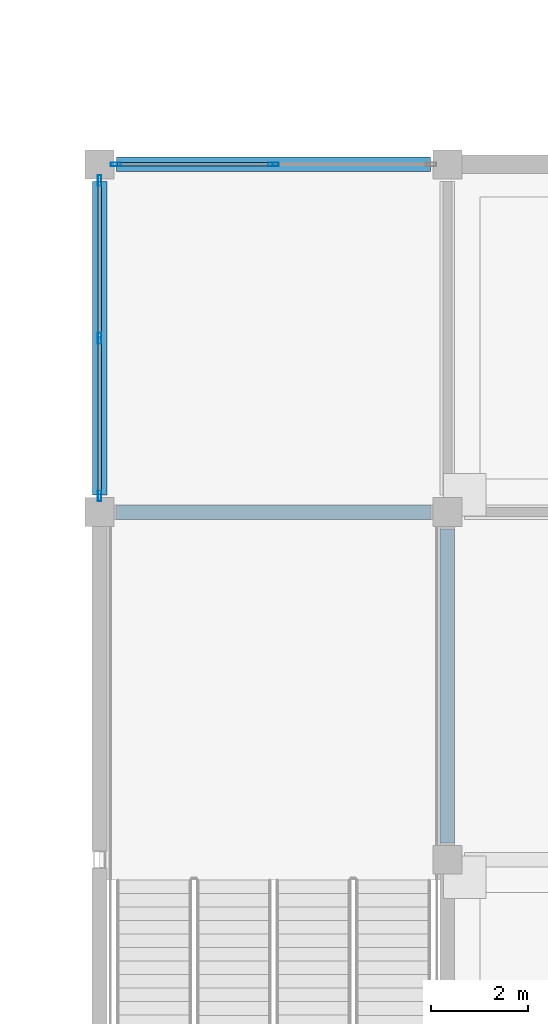
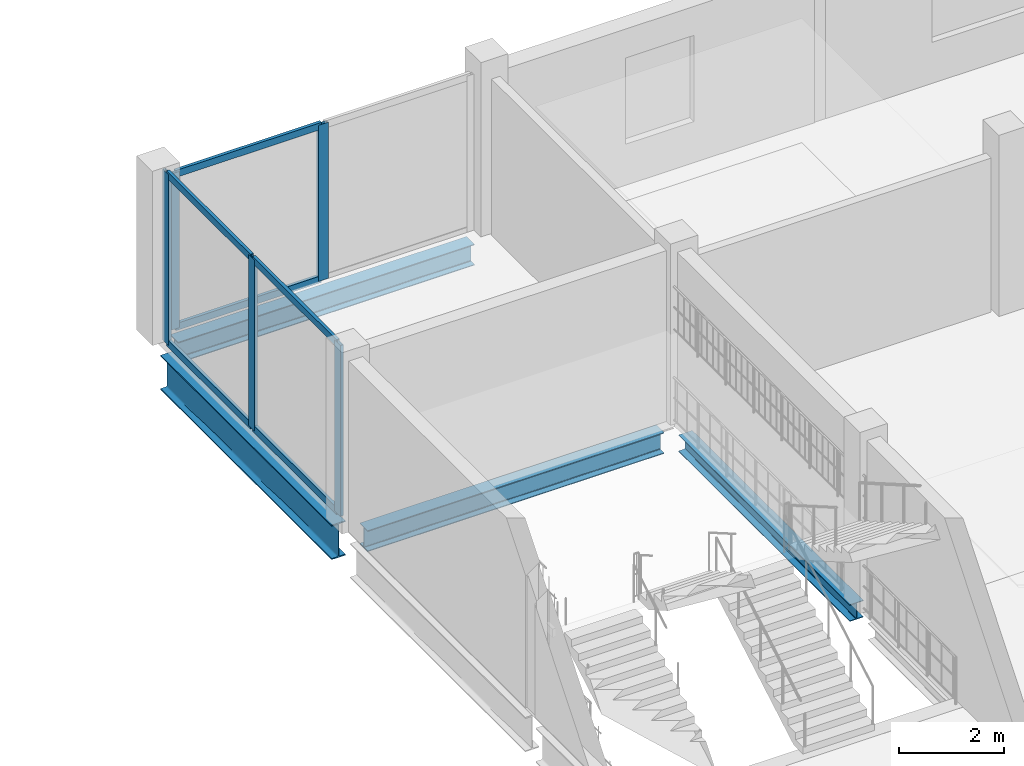
# One storey, part 13 of 51: 11 members, 4 beams, 2 elements without a shape of their own.
"""IFC4 building model written with IfcOpenShell, lengths in metres."""

import ifcopenshell
import ifcopenshell.guid

model = None  # the IFC model being written
_history = None  # IfcOwnerHistory: only IFC2X3 demands one
_inside = {}  # id of a spatial element -> (the spatial element, [elements in it])
_under = {}  # id of a project, library or spatial element -> (it, [spatial elements below it])
_declared = {}  # id of a project -> (the project, [libraries it declares])
_typed = {}  # id of a type object -> (the type object, [elements of that type])
_made_of = {}  # id of a material, layer set ... -> (it, [elements and type objects made of it])


def new_model(schema):
    """Start an empty IFC model of exactly this schema.

    Asked for "IFC4X3", IfcOpenShell would pick the latest addendum, in which some entities
    have other attributes; the version numbers below select the first issue.
    IFC2X3 requires an IfcOwnerHistory on every rooted entity: one is made here for all.
    """
    global model, _history
    if schema == "IFC4X3":
        model = ifcopenshell.file(schema_version=(4, 3, 0, 0))
    else:
        model = ifcopenshell.file(schema=schema)
    _inside.clear()
    _under.clear()
    _declared.clear()
    _typed.clear()
    _made_of.clear()
    _history = None
    if model.schema == "IFC2X3":
        org = make("IfcOrganization", Name="unknown")
        user = make(
            "IfcPersonAndOrganization",
            ThePerson=make("IfcPerson", FamilyName="unknown"),
            TheOrganization=org,
        )
        app = make(
            "IfcApplication",
            ApplicationDeveloper=org,
            Version="unknown",
            ApplicationFullName="unknown",
            ApplicationIdentifier="unknown",
        )
        _history = make(
            "IfcOwnerHistory",
            OwningUser=user,
            OwningApplication=app,
            ChangeAction="ADDED",
            CreationDate=0,
        )
    return model


def make(cls, **values):
    """One entity of the class cls with the attributes given. An attribute that is None is left unset."""
    return model.create_entity(
        cls, **{name: value for name, value in values.items() if value is not None}
    )


def rooted(cls, **values):
    """An entity with a GlobalId (a new one), such as an element, a storey or a relation."""
    return make(cls, GlobalId=ifcopenshell.guid.new(), OwnerHistory=_history, **values)


def si_unit(unit_type, name, prefix=None):
    """IfcSIUnit, for example si_unit("LENGTHUNIT", "METRE", prefix="MILLI")."""
    return make("IfcSIUnit", UnitType=unit_type, Prefix=prefix, Name=name)


def assignment(units):
    """IfcUnitAssignment: the units of a project."""
    return None if units is None else make("IfcUnitAssignment", Units=units)


def point(xyz):
    """IfcCartesianPoint."""
    return None if xyz is None else make("IfcCartesianPoint", Coordinates=xyz)


def direction(xyz):
    """IfcDirection."""
    return None if xyz is None else make("IfcDirection", DirectionRatios=xyz)


def frame(location, z_axis=None, x_axis=None):
    """IfcAxis2Placement3D, a coordinate frame: its origin and axes. An axis left out is left unset."""
    return make(
        "IfcAxis2Placement3D",
        Location=point(location),
        Axis=direction(z_axis),
        RefDirection=direction(x_axis),
    )


def frame_2d(location, x_axis=None):
    """IfcAxis2Placement2D, a coordinate frame in the plane: its origin and x axis."""
    return make(
        "IfcAxis2Placement2D", Location=point(location), RefDirection=direction(x_axis)
    )


def origin():
    """The frame at (0, 0, 0) with its axes left unset."""
    return frame((0.0, 0.0, 0.0))


def origin_2d():
    """The frame at (0, 0) in the plane with its x axis left unset."""
    return frame_2d((0.0, 0.0))


def place(relative_to, where):
    """IfcLocalPlacement: puts the frame where relative to a parent placement (None: the world)."""
    return make(
        "IfcLocalPlacement", PlacementRelTo=relative_to, RelativePlacement=where
    )


def context(
    kind, dimensions, precision=None, world=None, true_north=None, identifier=None
):
    """IfcGeometricRepresentationContext, for example the 3D "Model" context."""
    return make(
        "IfcGeometricRepresentationContext",
        ContextIdentifier=identifier,
        ContextType=kind,
        CoordinateSpaceDimension=dimensions,
        Precision=precision,
        WorldCoordinateSystem=world,
        TrueNorth=true_north,
    )


def subcontext(parent, identifier, kind, view, scale=None):
    """IfcGeometricRepresentationSubContext, for example "Body" below "Model"."""
    return make(
        "IfcGeometricRepresentationSubContext",
        ContextIdentifier=identifier,
        ContextType=kind,
        ParentContext=parent,
        TargetScale=scale,
        TargetView=view,
    )


def project(units=None, contexts=None):
    """IfcProject with its units and contexts."""
    return rooted(
        "IfcProject",
        Name="project",
        RepresentationContexts=contexts,
        UnitsInContext=assignment(units),
    )


def spatial(cls, under=None, at=None, **own):
    """A site, building, storey or space (cls), placed at a placement, below another one or the project."""
    s = rooted(cls, ObjectPlacement=at, **own)
    if under is not None:
        _under.setdefault(under.id(), (under, []))[1].append(s)
    return s


def profile(cls, at=None, kind="AREA", **sizes):
    """A parametric profile (cls). Its sizes go by their IFC names, for example OverallWidth=200.0."""
    return make(cls, ProfileType=kind, Position=at, **sizes)


def hollow_rectangle(**sizes):
    """IfcRectangleHollowProfileDef."""
    return profile("IfcRectangleHollowProfileDef", **sizes)


def i_section(**sizes):
    """IfcIShapeProfileDef."""
    return profile("IfcIShapeProfileDef", **sizes)


def extrude(swept, where, along, depth):
    """IfcExtrudedAreaSolid: the profile swept, set in the frame where, extruded along a direction by depth."""
    return make(
        "IfcExtrudedAreaSolid",
        SweptArea=swept,
        Position=where,
        ExtrudedDirection=direction(along),
        Depth=depth,
    )


def shape(context_of_items, identifier, shape_type, items):
    """IfcShapeRepresentation: the items that make up one representation, for example the "Body"."""
    return make(
        "IfcShapeRepresentation",
        ContextOfItems=context_of_items,
        RepresentationIdentifier=identifier,
        RepresentationType=shape_type,
        Items=items,
    )


def material(Name=None, Category=None):
    """IfcMaterial."""
    return make("IfcMaterial", Name=Name, Category=Category)


def material_profile(
    of_material, cross_section, Name=None, Category=None, Priority=None
):
    """IfcMaterialProfile: a cross section and its material."""
    return make(
        "IfcMaterialProfile",
        Name=Name,
        Material=of_material,
        Profile=cross_section,
        Priority=Priority,
        Category=Category,
    )


def profile_set(profiles, Name=None, composite=None):
    """IfcMaterialProfileSet."""
    return make(
        "IfcMaterialProfileSet",
        Name=Name,
        MaterialProfiles=profiles,
        CompositeProfile=composite,
    )


def made_of(thing, what):
    """Note that an element or type object is made of a material, layer set ...; save() writes the relation."""
    if what is not None:
        _made_of.setdefault(what.id(), (what, []))[1].append(thing)
    return thing


def type_object(cls, material=None, **own):
    """A type object (cls), such as IfcWallType, which elements share."""
    return made_of(rooted(cls, **own), material)


def element(
    cls,
    number,
    at=None,
    inside=None,
    cuts=None,
    type_object=None,
    material=None,
    context=None,
    identifier="Body",
    shape_type=None,
    held_by="IfcProductDefinitionShape",
    body=None,
    shapes=None,
    **own,
):
    """One element of the class cls, such as IfcWall. Its Tag is "e" and its number.

    at: its placement. inside: the storey or other place that contains it. cuts: it is an
    opening in that element (IfcRelVoidsElement). A single representation is given by context,
    identifier, shape_type and body (its items); several are given by shapes. held_by: the class
    of the entity that holds the representations. save() writes the other relations.
    """
    e = rooted(cls, Tag="e%d" % number, ObjectPlacement=at, **own)
    if body is not None:
        shapes = [shape(context, identifier, shape_type, body)]
    if shapes is not None:
        e.Representation = make(held_by, Representations=shapes)
    if inside is not None:
        _inside.setdefault(inside.id(), (inside, []))[1].append(e)
    if cuts is not None:
        rooted(
            "IfcRelVoidsElement", RelatingBuildingElement=cuts, RelatedOpeningElement=e
        )
    if type_object is not None:
        _typed.setdefault(type_object.id(), (type_object, []))[1].append(e)
    return made_of(e, material)


def aggregate(whole, parts):
    """IfcRelAggregates: a whole, such as a stair, and the parts it consists of."""
    return rooted("IfcRelAggregates", RelatingObject=whole, RelatedObjects=parts)


def save(model, path):
    """Write the relations noted so far, then the file.

    IfcRelAggregates (storeys below a building ...), IfcRelContainedInSpatialStructure (elements
    in a storey), IfcRelDefinesByType, IfcRelAssociatesMaterial and IfcRelDeclares: one each for
    every whole, place, type object, material and project.
    """
    for whole, parts in _under.values():
        aggregate(whole, parts)
    for where, things in _inside.values():
        rooted(
            "IfcRelContainedInSpatialStructure",
            RelatedElements=things,
            RelatingStructure=where,
        )
    for kind, things in _typed.values():
        rooted("IfcRelDefinesByType", RelatedObjects=things, RelatingType=kind)
    for what, things in _made_of.values():
        rooted("IfcRelAssociatesMaterial", RelatedObjects=things, RelatingMaterial=what)
    for by, libraries in _declared.values():
        rooted("IfcRelDeclares", RelatingContext=by, RelatedDefinitions=libraries)
    model.write(path)


model = new_model("IFC4")

# Units and contexts
model_context = context("Model", 3, precision=1e-05, world=origin(), true_north=direction((0.0, 1.0)))
body_context = subcontext(model_context, "Body", "Model", "MODEL_VIEW")
ifc_project = project(units=[si_unit("LENGTHUNIT", "METRE"), si_unit("AREAUNIT", "SQUARE_METRE"), si_unit("VOLUMEUNIT", "CUBIC_METRE"), si_unit("PLANEANGLEUNIT", "RADIAN"), si_unit("MASSUNIT", "GRAM", prefix="KILO")], contexts=[model_context])

# Site, building, storey
site_placement = place(None, origin())
site = spatial("IfcSite", under=ifc_project, at=site_placement, CompositionType="ELEMENT")
building_placement = place(site_placement, origin())
building = spatial("IfcBuilding", under=site, at=building_placement, Name="Vesperath Aquatics Centre", CompositionType="ELEMENT")
storey_placement = place(building_placement, frame((0.0, 0.0, 15.0)))
storey = spatial("IfcBuildingStorey", under=building, at=storey_placement, Name="L03", CompositionType="ELEMENT", Elevation=15.0)

# Beams
ifc_material_1 = material(Name="Steel Q355D", Category="steel")
ifc_material_profile_1 = material_profile(ifc_material_1, i_section(OverallWidth=0.300048828125, OverallDepth=0.800048828125, WebThickness=0.013916015625, FlangeThickness=0.02587890625, FilletRadius=0.028076171875, at=origin_2d()), Name="HN 800x300x14x26")
ifc_profile_set_1 = profile_set([ifc_material_profile_1], Name="Steel Q355D")
beam_type_1 = type_object("IfcBeamType", Name="BM-G07", PredefinedType="BEAM", material=ifc_profile_set_1)
beam_1_placement = place(storey_placement, frame((115.199951171875, 36.35009765625, -0.639892578125), z_axis=(0.0, 1.0, 0.0), x_axis=(-1.0, 0.0, 0.0)))
element("IfcBeam", 1, at=beam_1_placement, inside=storey, type_object=beam_type_1, Name="Floor Girder B07 L03 17 F-G", PredefinedType="BEAM", context=body_context, shape_type="SweptSolid", body=[
    extrude(i_section(OverallWidth=0.300048828125, OverallDepth=0.800048828125, WebThickness=0.013916015625, FlangeThickness=0.02587890625, FilletRadius=0.028076171875, at=origin_2d()), origin(), (0.0, 0.0, 1.0), 6.5),
])
ifc_material_2 = material(Name="Steel Q355C", Category="steel")
ifc_material_profile_2 = material_profile(ifc_material_2, i_section(OverallWidth=0.300048828125, OverallDepth=0.488037109375, WebThickness=0.010986328125, FlangeThickness=0.01806640625, FilletRadius=0.02587890625, at=origin_2d()), Name="HM 488x300x11x18")
ifc_profile_set_2 = profile_set([ifc_material_profile_2], Name="Steel Q355C")
beam_type_2 = type_object("IfcBeamType", Name="BM-G10", PredefinedType="BEAM", material=ifc_profile_set_2)
for number, where, z_axis, x_axis, name in (
    (2, (115.550048828125, 36.0, -0.48388671875), (1.0, 0.0, 0.0), (0.0, 1.0, 0.0), "Floor Girder B10 L03 F 17-18"),
    (3, (115.550048828125, 43.199951171875, -0.48388671875), (1.0, 0.0, 0.0), (0.0, 1.0, 0.0), "Floor Girder B10 L03 G 17-18"),
):
    element("IfcBeam", number, at=place(storey_placement, frame(where, z_axis=z_axis, x_axis=x_axis)), inside=storey, type_object=beam_type_2, Name=name, PredefinedType="BEAM", context=body_context, shape_type="SweptSolid", body=[
        extrude(i_section(OverallWidth=0.300048828125, OverallDepth=0.488037109375, WebThickness=0.010986328125, FlangeThickness=0.01806640625, FilletRadius=0.02587890625, at=origin_2d()), origin(), (0.0, 0.0, 1.0), 6.5),
    ])
ifc_material_profile_3 = material_profile(ifc_material_2, i_section(OverallWidth=0.300048828125, OverallDepth=0.389892578125, WebThickness=0.010009765625, FlangeThickness=0.01611328125, FilletRadius=0.02197265625, at=origin_2d()), Name="HM 390x300x10x16")
ifc_profile_set_3 = profile_set([ifc_material_profile_3], Name="Steel Q355C")
beam_type_3 = type_object("IfcBeamType", Name="BM-G11", PredefinedType="BEAM", material=ifc_profile_set_3)
beam_2_placement = place(storey_placement, frame((122.39990234375, 29.14990234375, -0.43505859375), z_axis=(0.0, 1.0, 0.0), x_axis=(-1.0, 0.0, 0.0)))
element("IfcBeam", 4, at=beam_2_placement, inside=storey, type_object=beam_type_3, Name="Floor Girder B11 L03 18 E-F", PredefinedType="BEAM", context=body_context, shape_type="SweptSolid", body=[
    extrude(i_section(OverallWidth=0.300048828125, OverallDepth=0.389892578125, WebThickness=0.010009765625, FlangeThickness=0.01611328125, FilletRadius=0.02197265625, at=origin_2d()), origin(), (0.0, 0.0, 1.0), 6.5),
])

# Curtain wall, members
ifc_material_3 = material(Name="Thermally broken anodised bronze aluminium curtain wall", Category="aluminium")
curtain_wall_type = type_object("IfcCurtainWallType", Name="CW-07", PredefinedType="NOTDEFINED", material=ifc_material_3)
curtain_wall_1_placement = place(storey_placement, origin())
curtain_wall_1 = element("IfcCurtainWall", 5, at=curtain_wall_1_placement, inside=storey, type_object=curtain_wall_type, Name="Facade Curtain Wall CW07 L03_N_16_06", PredefinedType="NOTDEFINED")
ifc_material_4 = material(Name="Thermally broken anodised aluminium", Category="aluminium")
ifc_material_profile_4 = material_profile(ifc_material_4, hollow_rectangle(XDim=0.070068359375, YDim=0.219970703125, WallThickness=0.0048828125, at=origin_2d()), Name="CWM 70x220x5")
ifc_profile_set_4 = profile_set([ifc_material_profile_4], Name="Thermally broken anodised aluminium")
member_type_1 = type_object("IfcMemberType", Name="MB-CWM2", PredefinedType="MULLION", material=ifc_profile_set_4)
member_1_placement = place(storey_placement, frame((115.534912109375, 43.199951171875, 0.0), z_axis=(0.0, 0.0, 1.0), x_axis=(0.0, 1.0, 0.0)))
member_1 = element("IfcMember", 6, at=member_1_placement, type_object=member_type_1, Name="CW07 mullion 1", PredefinedType="MULLION", context=body_context, shape_type="SweptSolid", body=[
    extrude(hollow_rectangle(XDim=0.070068359375, YDim=0.219970703125, WallThickness=0.0048828125, at=origin_2d()), origin(), (0.0, 0.0, 1.0), 3.6201171875),
])
member_2_placement = place(storey_placement, frame((118.800048828125, 43.199951171875, 0.0), z_axis=(0.0, 0.0, 1.0), x_axis=(0.0, 1.0, 0.0)))
member_2 = element("IfcMember", 7, at=member_2_placement, type_object=member_type_1, Name="CW07 mullion 2", PredefinedType="MULLION", context=body_context, shape_type="SweptSolid", body=[
    extrude(hollow_rectangle(XDim=0.070068359375, YDim=0.219970703125, WallThickness=0.0048828125, at=origin_2d()), origin(), (0.0, 0.0, 1.0), 3.6201171875),
])

curtain_wall_2_placement = place(storey_placement, origin())
curtain_wall_2 = element("IfcCurtainWall", 8, at=curtain_wall_2_placement, inside=storey, type_object=curtain_wall_type, Name="Facade Curtain Wall CW07 L03_W_16_05", PredefinedType="NOTDEFINED")
member_3_placement = place(storey_placement, frame((115.199951171875, 36.3349609375, 0.0), z_axis=(0.0, 0.0, 1.0), x_axis=(-1.0, 0.0, 0.0)))
member_3 = element("IfcMember", 9, at=member_3_placement, type_object=member_type_1, Name="CW07 mullion 1", PredefinedType="MULLION", context=body_context, shape_type="SweptSolid", body=[
    extrude(hollow_rectangle(XDim=0.070068359375, YDim=0.219970703125, WallThickness=0.0048828125, at=origin_2d()), origin(), (0.0, 0.0, 1.0), 3.9599609375),
])
member_4_placement = place(storey_placement, frame((115.199951171875, 39.60009765625, 0.0), z_axis=(0.0, 0.0, 1.0), x_axis=(-1.0, 0.0, 0.0)))
member_4 = element("IfcMember", 10, at=member_4_placement, type_object=member_type_1, Name="CW07 mullion 2", PredefinedType="MULLION", context=body_context, shape_type="SweptSolid", body=[
    extrude(hollow_rectangle(XDim=0.070068359375, YDim=0.219970703125, WallThickness=0.0048828125, at=origin_2d()), origin(), (0.0, 0.0, 1.0), 3.9599609375),
])
member_5_placement = place(storey_placement, frame((115.199951171875, 42.864990234375, 0.0), z_axis=(0.0, 0.0, 1.0), x_axis=(-1.0, 0.0, 0.0)))
member_5 = element("IfcMember", 11, at=member_5_placement, type_object=member_type_1, Name="CW07 mullion 3", PredefinedType="MULLION", context=body_context, shape_type="SweptSolid", body=[
    extrude(hollow_rectangle(XDim=0.070068359375, YDim=0.219970703125, WallThickness=0.0048828125, at=origin_2d()), origin(), (0.0, 0.0, 1.0), 3.9599609375),
])

# Member
ifc_material_profile_5 = material_profile(ifc_material_4, hollow_rectangle(XDim=0.070068359375, YDim=0.159912109375, WallThickness=0.0048828125, at=origin_2d()), Name="CWT 70x160x5")
ifc_profile_set_5 = profile_set([ifc_material_profile_5], Name="Thermally broken anodised aluminium")
member_type_2 = type_object("IfcMemberType", Name="MB-CWT2", PredefinedType="USERDEFINED", material=ifc_profile_set_5)
member_6_placement = place(storey_placement, frame((115.570068359375, 43.199951171875, 0.034912109375), z_axis=(1.0, 0.0, 0.0), x_axis=(0.0, 1.0, 0.0)))
member_6 = element("IfcMember", 12, at=member_6_placement, type_object=member_type_2, Name="CW07 transom 1.1", ObjectType="TRANSOM", PredefinedType="USERDEFINED", context=body_context, shape_type="SweptSolid", body=[
    extrude(hollow_rectangle(XDim=0.070068359375, YDim=0.159912109375, WallThickness=0.0048828125, at=origin_2d()), origin(), (0.0, 0.0, 1.0), 3.19482421875),
])

member_7_placement = place(storey_placement, frame((115.570068359375, 43.199951171875, 3.5849609375), z_axis=(1.0, 0.0, 0.0), x_axis=(0.0, 1.0, 0.0)))
member_7 = element("IfcMember", 13, at=member_7_placement, type_object=member_type_2, Name="CW07 transom 1.2", ObjectType="TRANSOM", PredefinedType="USERDEFINED", context=body_context, shape_type="SweptSolid", body=[
    extrude(hollow_rectangle(XDim=0.070068359375, YDim=0.159912109375, WallThickness=0.0048828125, at=origin_2d()), origin(), (0.0, 0.0, 1.0), 3.19482421875),
])

aggregate(curtain_wall_1, [member_1, member_2, member_6, member_7])

member_8_placement = place(storey_placement, frame((115.199951171875, 36.3701171875, 0.034912109375), z_axis=(0.0, 1.0, 0.0), x_axis=(-1.0, 0.0, 0.0)))
member_8 = element("IfcMember", 14, at=member_8_placement, type_object=member_type_2, Name="CW07 transom 1.1", ObjectType="TRANSOM", PredefinedType="USERDEFINED", context=body_context, shape_type="SweptSolid", body=[
    extrude(hollow_rectangle(XDim=0.070068359375, YDim=0.159912109375, WallThickness=0.0048828125, at=origin_2d()), origin(), (0.0, 0.0, 1.0), 3.19482421875),
])

member_9_placement = place(storey_placement, frame((115.199951171875, 36.3701171875, 3.925048828125), z_axis=(0.0, 1.0, 0.0), x_axis=(-1.0, 0.0, 0.0)))
member_9 = element("IfcMember", 15, at=member_9_placement, type_object=member_type_2, Name="CW07 transom 1.2", ObjectType="TRANSOM", PredefinedType="USERDEFINED", context=body_context, shape_type="SweptSolid", body=[
    extrude(hollow_rectangle(XDim=0.070068359375, YDim=0.159912109375, WallThickness=0.0048828125, at=origin_2d()), origin(), (0.0, 0.0, 1.0), 3.19482421875),
])

member_10_placement = place(storey_placement, frame((115.199951171875, 39.635009765625, 0.034912109375), z_axis=(0.0, 1.0, 0.0), x_axis=(-1.0, 0.0, 0.0)))
member_10 = element("IfcMember", 16, at=member_10_placement, type_object=member_type_2, Name="CW07 transom 2.1", ObjectType="TRANSOM", PredefinedType="USERDEFINED", context=body_context, shape_type="SweptSolid", body=[
    extrude(hollow_rectangle(XDim=0.070068359375, YDim=0.159912109375, WallThickness=0.0048828125, at=origin_2d()), origin(), (0.0, 0.0, 1.0), 3.195068359375),
])

member_11_placement = place(storey_placement, frame((115.199951171875, 39.635009765625, 3.925048828125), z_axis=(0.0, 1.0, 0.0), x_axis=(-1.0, 0.0, 0.0)))
member_11 = element("IfcMember", 17, at=member_11_placement, type_object=member_type_2, Name="CW07 transom 2.2", ObjectType="TRANSOM", PredefinedType="USERDEFINED", context=body_context, shape_type="SweptSolid", body=[
    extrude(hollow_rectangle(XDim=0.070068359375, YDim=0.159912109375, WallThickness=0.0048828125, at=origin_2d()), origin(), (0.0, 0.0, 1.0), 3.195068359375),
])

aggregate(curtain_wall_2, [member_3, member_4, member_5, member_8, member_9, member_10, member_11])

save(model, "model.ifc")
